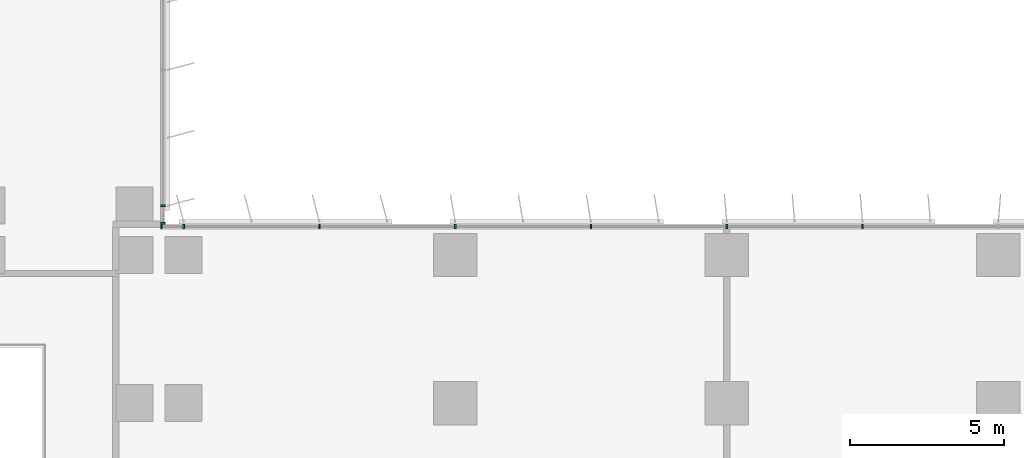
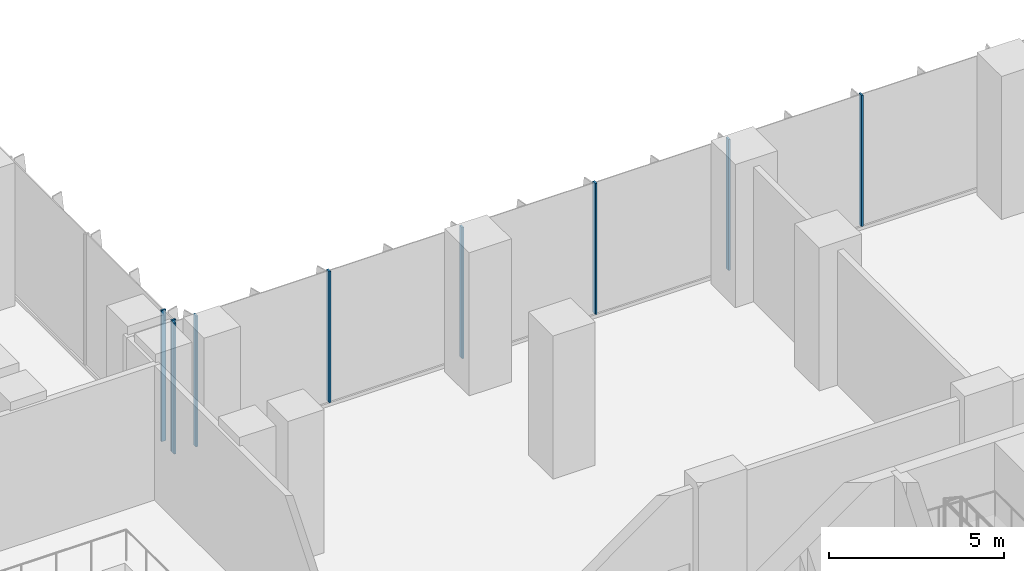
# One storey, part 2 of 23: 9 members, 2 elements without a shape of their own.
"""IFC4 building model written with IfcOpenShell, lengths in metres."""

from ifc_helpers import new_model, si_unit, direction, frame, origin, origin_2d, place, context, subcontext, project, spatial, rectangle, extrude, source, transform, mapped, material, material_profile, profile_set, type_object, element, aggregate, save


model = new_model("IFC4")

# Units and contexts
model_context = context("Model", 3, precision=1e-05, world=origin(), true_north=direction((0.0, 1.0)))
body_context = subcontext(model_context, "Body", "Model", "MODEL_VIEW")
ifc_project = project(units=[si_unit("LENGTHUNIT", "METRE"), si_unit("AREAUNIT", "SQUARE_METRE"), si_unit("VOLUMEUNIT", "CUBIC_METRE"), si_unit("PLANEANGLEUNIT", "RADIAN"), si_unit("MASSUNIT", "GRAM", prefix="KILO")], contexts=[model_context])

# Site, building, storey
site_placement = place(None, origin())
site = spatial("IfcSite", under=ifc_project, at=site_placement, CompositionType="ELEMENT")
building_placement = place(site_placement, origin())
building = spatial("IfcBuilding", under=site, at=building_placement, Name="Kemantara Hotel Tower", CompositionType="ELEMENT")
storey_placement = place(building_placement, frame((0.0, 0.0, 71.0)))
storey = spatial("IfcBuildingStorey", under=building, at=storey_placement, Name="L16", CompositionType="ELEMENT", Elevation=71.0)

# Curtain wall, members
ifc_material_1 = material(Name="Low-E tinted double insulated glass 36 mm", Category="glass")
curtain_wall_type = type_object("IfcCurtainWallType", Name="TOWER CURTAIN WALL, FRONT FACES", PredefinedType="USERDEFINED", material=ifc_material_1)
curtain_wall_1_placement = place(storey_placement, origin())
curtain_wall_1 = element("IfcCurtainWall", 1, at=curtain_wall_1_placement, inside=storey, type_object=curtain_wall_type, Name="CW4 L16 T1-R07-1", ObjectType="TOWER CURTAIN WALL, FRONT FACES", PredefinedType="USERDEFINED")
ifc_material_2 = material(Name="Aluminium 6063-T6 bronze anodised", Category="aluminium")
ifc_material_profile = material_profile(ifc_material_2, rectangle(XDim=0.14990234375, YDim=0.06005859375, at=origin_2d()), Name="TOWER CURTAIN WALL, FRONT FACES MULLION")
ifc_profile_set = profile_set([ifc_material_profile], Name="Aluminium 6063-T6 bronze anodised")
member_type = type_object("IfcMemberType", Name="TOWER CURTAIN WALL, FRONT FACES MULLION", PredefinedType="MULLION", material=ifc_profile_set)
shared_shape = source(origin(), body_context, "Body", "SweptSolid", [
    extrude(rectangle(XDim=0.14990234375, YDim=0.06005859375, at=origin_2d()), origin(), (0.0, 0.0, 1.0), 4.579833984375),
])
member_1_placement = place(storey_placement, frame((49.39990234375, 26.72509765625, 0.1201171875), z_axis=(0.0, 0.0, 1.0), x_axis=(0.0, -1.0, 0.0)))
member_1 = element("IfcMember", 2, at=member_1_placement, type_object=member_type, Name="CW4 mullion T1-R07-1.8", PredefinedType="MULLION", context=body_context, shape_type="MappedRepresentation", body=[
    mapped(shared_shape, transform((0.0, 0.0, 0.0))),
])
member_2_placement = place(storey_placement, frame((45.0, 26.72509765625, 0.1201171875), z_axis=(0.0, 0.0, 1.0), x_axis=(0.0, -1.0, 0.0)))
member_2 = element("IfcMember", 3, at=member_2_placement, type_object=member_type, Name="CW4 mullion T1-R07-1.9", PredefinedType="MULLION", context=body_context, shape_type="MappedRepresentation", body=[
    mapped(shared_shape, transform((0.0, 0.0, 0.0))),
])
member_3_placement = place(storey_placement, frame((40.60009765625, 26.72509765625, 0.1201171875), z_axis=(0.0, 0.0, 1.0), x_axis=(0.0, -1.0, 0.0)))
member_3 = element("IfcMember", 4, at=member_3_placement, type_object=member_type, Name="CW4 mullion T1-R07-1.10", PredefinedType="MULLION", context=body_context, shape_type="MappedRepresentation", body=[
    mapped(shared_shape, transform((0.0, 0.0, 0.0))),
])
member_4_placement = place(storey_placement, frame((36.199951171875, 26.72509765625, 0.1201171875), z_axis=(0.0, 0.0, 1.0), x_axis=(0.0, -1.0, 0.0)))
member_4 = element("IfcMember", 5, at=member_4_placement, type_object=member_type, Name="CW4 mullion T1-R07-1.11", PredefinedType="MULLION", context=body_context, shape_type="MappedRepresentation", body=[
    mapped(shared_shape, transform((0.0, 0.0, 0.0))),
])
member_5_placement = place(storey_placement, frame((31.800048828125, 26.72509765625, 0.1201171875), z_axis=(0.0, 0.0, 1.0), x_axis=(0.0, -1.0, 0.0)))
member_5 = element("IfcMember", 6, at=member_5_placement, type_object=member_type, Name="CW4 mullion T1-R07-1.12", PredefinedType="MULLION", context=body_context, shape_type="MappedRepresentation", body=[
    mapped(shared_shape, transform((0.0, 0.0, 0.0))),
])
member_6_placement = place(storey_placement, frame((27.39990234375, 26.72509765625, 0.1201171875), z_axis=(0.0, 0.0, 1.0), x_axis=(0.0, -1.0, 0.0)))
member_6 = element("IfcMember", 7, at=member_6_placement, type_object=member_type, Name="CW4 mullion T1-R07-1.13", PredefinedType="MULLION", context=body_context, shape_type="MappedRepresentation", body=[
    mapped(shared_shape, transform((0.0, 0.0, 0.0))),
])
member_7_placement = place(storey_placement, frame((26.679931640625, 26.72509765625, 0.1201171875), z_axis=(0.0, 0.0, 1.0), x_axis=(0.0, -1.0, 0.0)))
member_7 = element("IfcMember", 8, at=member_7_placement, type_object=member_type, Name="CW4 mullion T1-R07-1.14", PredefinedType="MULLION", context=body_context, shape_type="MappedRepresentation", body=[
    mapped(shared_shape, transform((0.0, 0.0, 0.0))),
])
aggregate(curtain_wall_1, [member_1, member_2, member_3, member_4, member_5, member_6, member_7])

curtain_wall_2_placement = place(storey_placement, origin())
curtain_wall_2 = element("IfcCurtainWall", 9, at=curtain_wall_2_placement, inside=storey, type_object=curtain_wall_type, Name="CW4 L16 T1-R08-1", ObjectType="TOWER CURTAIN WALL, FRONT FACES", PredefinedType="USERDEFINED")
member_8_placement = place(storey_placement, frame((26.72509765625, 26.830078125, 0.1201171875), z_axis=(0.0, 0.0, 1.0), x_axis=(-1.0, 0.0, 0.0)))
member_8 = element("IfcMember", 10, at=member_8_placement, type_object=member_type, Name="CW4 mullion T1-R08-1.1", PredefinedType="MULLION", context=body_context, shape_type="MappedRepresentation", body=[
    mapped(shared_shape, transform((0.0, 0.0, 0.0))),
])
member_9_placement = place(storey_placement, frame((26.72509765625, 27.39990234375, 0.1201171875), z_axis=(0.0, 0.0, 1.0), x_axis=(-1.0, 0.0, 0.0)))
member_9 = element("IfcMember", 11, at=member_9_placement, type_object=member_type, Name="CW4 mullion T1-R08-1.2", PredefinedType="MULLION", context=body_context, shape_type="MappedRepresentation", body=[
    mapped(shared_shape, transform((0.0, 0.0, 0.0))),
])
aggregate(curtain_wall_2, [member_8, member_9])

save(model, "model.ifc")
